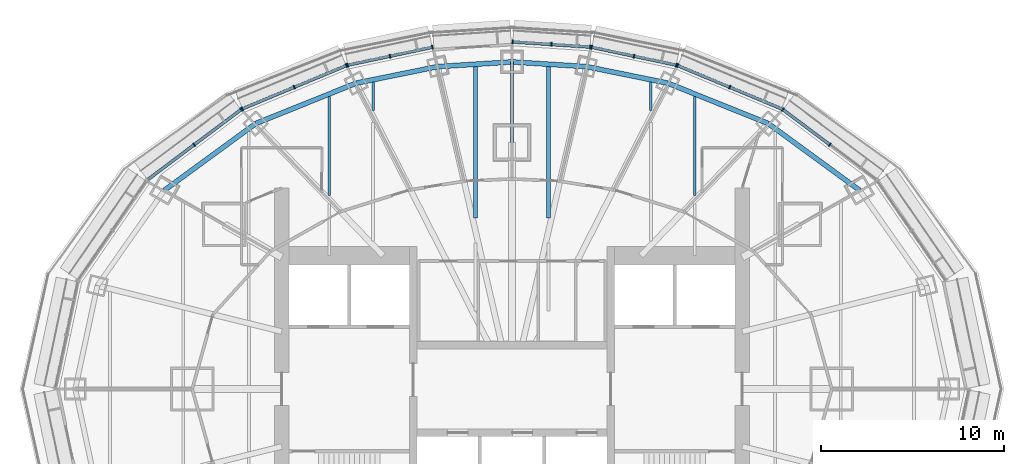
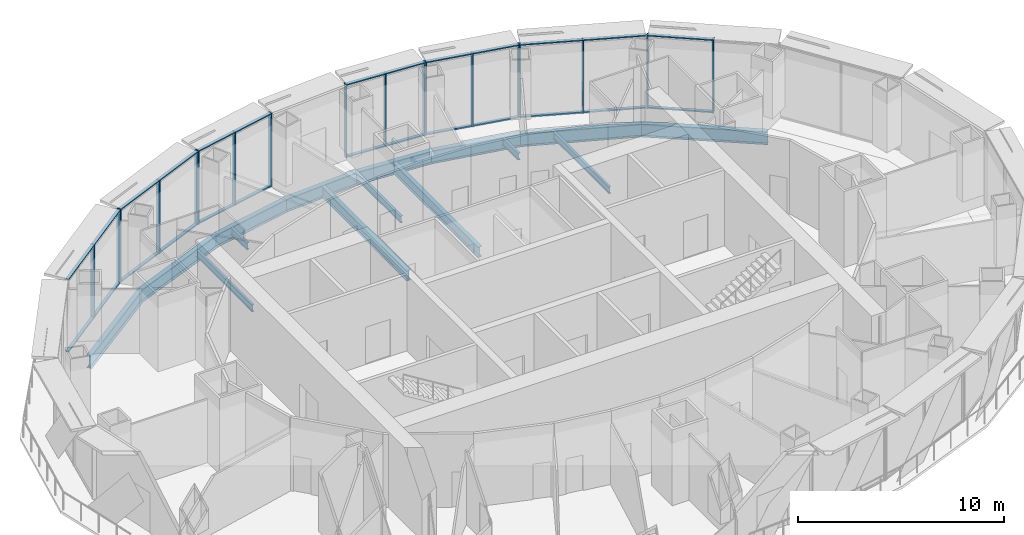
# One storey, part 6 of 17: 44 members, 15 beams, 7 elements without a shape of their own.
"""IFC4 building model written with IfcOpenShell, lengths in metres."""

from ifc_helpers import new_model, si_unit, direction, frame, origin, origin_2d, place, context, subcontext, project, spatial, rectangle, i_section, extrude, material, material_profile, profile_set, type_object, element, aggregate, save


model = new_model("IFC4")

# Units and contexts
model_context = context("Model", 3, precision=1e-05, world=origin(), true_north=direction((0.0, 1.0)))
body_context = subcontext(model_context, "Body", "Model", "MODEL_VIEW")
ifc_project = project(units=[si_unit("LENGTHUNIT", "METRE"), si_unit("AREAUNIT", "SQUARE_METRE"), si_unit("VOLUMEUNIT", "CUBIC_METRE"), si_unit("PLANEANGLEUNIT", "RADIAN"), si_unit("MASSUNIT", "GRAM", prefix="KILO")], contexts=[model_context])

# Site, building, storey
site_placement = place(None, origin())
site = spatial("IfcSite", under=ifc_project, at=site_placement, CompositionType="ELEMENT")
building_placement = place(site_placement, origin())
building = spatial("IfcBuilding", under=site, at=building_placement, Name="Lantaw Convention Tower", CompositionType="ELEMENT")
storey_placement = place(building_placement, frame((0.0, 0.0, 270.39990234375)))
storey = spatial("IfcBuildingStorey", under=building, at=storey_placement, Name="L63", CompositionType="ELEMENT", Elevation=270.39990234375)

# Beams
ifc_material_1 = material(Name="Steel ASTM A992", Category="steel")
ifc_material_profile_1 = material_profile(ifc_material_1, i_section(OverallWidth=0.2666015625, OverallDepth=0.76953125, WebThickness=0.015625, FlangeThickness=0.025390625, FilletRadius=0.0126953125, at=origin_2d()), Name="W30X132")
ifc_profile_set_1 = profile_set([ifc_material_profile_1], Name="Steel ASTM A992")
beam_type_1 = type_object("IfcBeamType", Name="Beam E W30X132", PredefinedType="SPANDREL", material=ifc_profile_set_1)
beam_1_placement = place(storey_placement, frame((19.02685546875, 10.87255859375, -0.53466796875), z_axis=(-0.807371616826, 0.59004328006, 0.0), x_axis=(-0.59004328006, -0.807371616826, 0.0)))
element("IfcBeam", 1, at=beam_1_placement, inside=storey, type_object=beam_type_1, Name="Edge beam 3", PredefinedType="SPANDREL", context=body_context, shape_type="SweptSolid", body=[
    extrude(i_section(OverallWidth=0.2666015625, OverallDepth=0.76953125, WebThickness=0.015625, FlangeThickness=0.025390625, FilletRadius=0.0126953125, at=origin_2d()), origin(), (0.0, 0.0, 1.0), 6.192138671875),
])
beam_2_placement = place(storey_placement, frame((14.027587890625, 14.526123046875, -0.53466796875), z_axis=(-0.927779110974, 0.373129898615, 0.0), x_axis=(-0.373129898615, -0.927779110974, 0.0)))
element("IfcBeam", 2, at=beam_2_placement, inside=storey, type_object=beam_type_1, Name="Edge beam 4", PredefinedType="SPANDREL", context=body_context, shape_type="SweptSolid", body=[
    extrude(i_section(OverallWidth=0.2666015625, OverallDepth=0.76953125, WebThickness=0.015625, FlangeThickness=0.025390625, FilletRadius=0.0126953125, at=origin_2d()), origin(), (0.0, 0.0, 1.0), 5.92724609375),
])
beam_3_placement = place(storey_placement, frame((8.5283203125, 16.73779296875, -0.53466796875), z_axis=(-0.980006466425, 0.198965639657, 0.0), x_axis=(-0.198965639657, -0.980006466425, 0.0)))
element("IfcBeam", 3, at=beam_3_placement, inside=storey, type_object=beam_type_1, Name="Edge beam 5", PredefinedType="SPANDREL", context=body_context, shape_type="SweptSolid", body=[
    extrude(i_section(OverallWidth=0.2666015625, OverallDepth=0.76953125, WebThickness=0.015625, FlangeThickness=0.025390625, FilletRadius=0.0126953125, at=origin_2d()), origin(), (0.0, 0.0, 1.0), 4.546142578125),
])
for number, where, z_axis, x_axis, name in (
    (4, (4.072998046875, 17.642333984375, -0.53466796875), (-0.998006453216, 0.063111958769, 0.0), (-0.063111958769, -0.998006453216, 0.0), "Edge beam 6"),
    (5, (0.0, 17.89990234375, -0.53466796875), (-0.998006453216, -0.063111958769, 0.0), (0.063111958769, -0.998006453216, 0.0), "Edge beam 7"),
):
    element("IfcBeam", number, at=place(storey_placement, frame(where, z_axis=z_axis, x_axis=x_axis)), inside=storey, type_object=beam_type_1, Name=name, PredefinedType="SPANDREL", context=body_context, shape_type="SweptSolid", body=[
        extrude(i_section(OverallWidth=0.2666015625, OverallDepth=0.76953125, WebThickness=0.015625, FlangeThickness=0.025390625, FilletRadius=0.0126953125, at=origin_2d()), origin(), (0.0, 0.0, 1.0), 4.0810546875),
    ])
beam_4_placement = place(storey_placement, frame((-4.072998046875, 17.642333984375, -0.53466796875), z_axis=(-0.980006466425, -0.198965639657, 0.0), x_axis=(0.198965639657, -0.980006466425, 0.0)))
element("IfcBeam", 6, at=beam_4_placement, inside=storey, type_object=beam_type_1, Name="Edge beam 8", PredefinedType="SPANDREL", context=body_context, shape_type="SweptSolid", body=[
    extrude(i_section(OverallWidth=0.2666015625, OverallDepth=0.76953125, WebThickness=0.015625, FlangeThickness=0.025390625, FilletRadius=0.0126953125, at=origin_2d()), origin(), (0.0, 0.0, 1.0), 4.546142578125),
])
beam_5_placement = place(storey_placement, frame((-8.5283203125, 16.73779296875, -0.53466796875), z_axis=(-0.927779110974, -0.373129898615, 0.0), x_axis=(0.373129898615, -0.927779110974, 0.0)))
element("IfcBeam", 7, at=beam_5_placement, inside=storey, type_object=beam_type_1, Name="Edge beam 9", PredefinedType="SPANDREL", context=body_context, shape_type="SweptSolid", body=[
    extrude(i_section(OverallWidth=0.2666015625, OverallDepth=0.76953125, WebThickness=0.015625, FlangeThickness=0.025390625, FilletRadius=0.0126953125, at=origin_2d()), origin(), (0.0, 0.0, 1.0), 5.92724609375),
])
beam_6_placement = place(storey_placement, frame((-14.027587890625, 14.526123046875, -0.53466796875), z_axis=(-0.807371616826, -0.59004328006, 0.0), x_axis=(0.59004328006, -0.807371616826, 0.0)))
element("IfcBeam", 8, at=beam_6_placement, inside=storey, type_object=beam_type_1, Name="Edge beam 10", PredefinedType="SPANDREL", context=body_context, shape_type="SweptSolid", body=[
    extrude(i_section(OverallWidth=0.2666015625, OverallDepth=0.76953125, WebThickness=0.015625, FlangeThickness=0.025390625, FilletRadius=0.0126953125, at=origin_2d()), origin(), (0.0, 0.0, 1.0), 6.192138671875),
])
ifc_material_profile_2 = material_profile(ifc_material_1, i_section(OverallWidth=0.140380859375, OverallDepth=0.40380859375, WebThickness=0.007080078125, FlangeThickness=0.01123046875, FilletRadius=0.01025390625, at=origin_2d()), Name="W16X31")
ifc_profile_set_2 = profile_set([ifc_material_profile_2], Name="Steel ASTM A992")
beam_type_2 = type_object("IfcBeamType", Name="Beam G W16X31", PredefinedType="BEAM", material=ifc_profile_set_2)
beam_7_placement = place(storey_placement, frame((0.0, 13.5, -0.351806640625), z_axis=(0.0, 1.0, 0.0), x_axis=(-1.0, 0.0, 0.0)))
element("IfcBeam", 9, at=beam_7_placement, inside=storey, type_object=beam_type_2, Name="Floor girder on ray 7", PredefinedType="BEAM", context=body_context, shape_type="SweptSolid", body=[
    extrude(i_section(OverallWidth=0.140380859375, OverallDepth=0.40380859375, WebThickness=0.007080078125, FlangeThickness=0.01123046875, FilletRadius=0.01025390625, at=origin_2d()), origin(), (0.0, 0.0, 1.0), 4.39990234375),
])
ifc_material_profile_3 = material_profile(ifc_material_1, i_section(OverallWidth=0.140380859375, OverallDepth=0.40380859375, WebThickness=0.007080078125, FlangeThickness=0.01123046875, FilletRadius=0.01025390625, at=origin_2d()), Name="W16X31")
ifc_profile_set_3 = profile_set([ifc_material_profile_3], Name="Steel ASTM A992")
beam_type_3 = type_object("IfcBeamType", Name="Beam J W16X31", PredefinedType="JOIST", material=ifc_profile_set_3)
beam_8_placement = place(storey_placement, frame((-10.0, 10.58935546875, -0.351806640625), z_axis=(0.0, 1.0, 0.0), x_axis=(-1.0, 0.0, 0.0)))
element("IfcBeam", 10, at=beam_8_placement, inside=storey, type_object=beam_type_3, Name="Floor joist", PredefinedType="JOIST", context=body_context, shape_type="SweptSolid", body=[
    extrude(i_section(OverallWidth=0.140380859375, OverallDepth=0.40380859375, WebThickness=0.007080078125, FlangeThickness=0.01123046875, FilletRadius=0.01025390625, at=origin_2d()), origin(), (0.0, 0.0, 1.0), 5.412841796875),
])
for number, where, z_axis, x_axis, name in (
    (11, (-7.60009765625, 15.25439453125, -0.351806640625), (0.0, 1.0, 0.0), (-1.0, 0.0, 0.0), "Floor joist"),
    (12, (7.60009765625, 15.25439453125, -0.351806640625), (0.0, 1.0, 0.0), (-1.0, 0.0, 0.0), "Floor joist"),
):
    element("IfcBeam", number, at=place(storey_placement, frame(where, z_axis=z_axis, x_axis=x_axis)), inside=storey, type_object=beam_type_3, Name=name, PredefinedType="JOIST", context=body_context, shape_type="SweptSolid", body=[
        extrude(i_section(OverallWidth=0.140380859375, OverallDepth=0.40380859375, WebThickness=0.007080078125, FlangeThickness=0.01123046875, FilletRadius=0.01025390625, at=origin_2d()), origin(), (0.0, 0.0, 1.0), 1.535888671875),
    ])
beam_9_placement = place(storey_placement, frame((10.0, 10.58935546875, -0.351806640625), z_axis=(0.0, 1.0, 0.0), x_axis=(-1.0, 0.0, 0.0)))
element("IfcBeam", 13, at=beam_9_placement, inside=storey, type_object=beam_type_3, Name="Floor joist", PredefinedType="JOIST", context=body_context, shape_type="SweptSolid", body=[
    extrude(i_section(OverallWidth=0.140380859375, OverallDepth=0.40380859375, WebThickness=0.007080078125, FlangeThickness=0.01123046875, FilletRadius=0.01025390625, at=origin_2d()), origin(), (0.0, 0.0, 1.0), 5.412841796875),
])
ifc_material_profile_4 = material_profile(ifc_material_1, i_section(OverallWidth=0.22900390625, OverallDepth=0.612060546875, WebThickness=0.011962890625, FlangeThickness=0.01953125, FilletRadius=0.0126953125, at=origin_2d()), Name="W24X84")
ifc_profile_set_4 = profile_set([ifc_material_profile_4], Name="Steel ASTM A992")
beam_type_4 = type_object("IfcBeamType", Name="Beam J W24X84", PredefinedType="JOIST", material=ifc_profile_set_4)
for number, where, z_axis, x_axis, name in (
    (14, (-2.0, 9.34619140625, -0.4560546875), (0.0, 1.0, 0.0), (-1.0, 0.0, 0.0), "Floor joist"),
    (15, (2.0, 9.34619140625, -0.4560546875), (0.0, 1.0, 0.0), (-1.0, 0.0, 0.0), "Floor joist"),
):
    element("IfcBeam", number, at=place(storey_placement, frame(where, z_axis=z_axis, x_axis=x_axis)), inside=storey, type_object=beam_type_4, Name=name, PredefinedType="JOIST", context=body_context, shape_type="SweptSolid", body=[
        extrude(i_section(OverallWidth=0.22900390625, OverallDepth=0.612060546875, WebThickness=0.011962890625, FlangeThickness=0.01953125, FilletRadius=0.0126953125, at=origin_2d()), origin(), (0.0, 0.0, 1.0), 8.293701171875),
    ])

# Curtain wall, members
ifc_material_2 = material(Name="Aluminium framed curtain wall", Category="aluminium")
curtain_wall_type = type_object("IfcCurtainWallType", Name="Executive floors curtain wall, pale aluminium", PredefinedType="USERDEFINED", material=ifc_material_2)
curtain_wall_1_placement = place(storey_placement, origin())
curtain_wall_1 = element("IfcCurtainWall", 16, at=curtain_wall_1_placement, inside=storey, type_object=curtain_wall_type, Name="Executive floors curtain wall, pale aluminium L63", ObjectType="UNITISED CURTAIN WALL", PredefinedType="USERDEFINED")
ifc_material_3 = material(Name="Aluminium 6063-T6", Category="aluminium")
ifc_material_profile_5 = material_profile(ifc_material_3, rectangle(XDim=0.219970703125, YDim=0.070068359375, at=origin_2d()), Name="CW-T mullion 70x220")
ifc_profile_set_5 = profile_set([ifc_material_profile_5], Name="Aluminium 6063-T6")
member_type_1 = type_object("IfcMemberType", Name="CW-T mullion 70x220", PredefinedType="MULLION", material=ifc_profile_set_5)
member_1_placement = place(storey_placement, frame((17.386962890625, 13.367919921875, 0.0), z_axis=(0.0, 0.0, 1.0), x_axis=(-0.600642756762, -0.799517528732, 0.0)))
member_1 = element("IfcMember", 17, at=member_1_placement, type_object=member_type_1, Name="CW-T mullion 2", PredefinedType="MULLION", context=body_context, shape_type="SweptSolid", body=[
    extrude(rectangle(XDim=0.219970703125, YDim=0.070068359375, at=origin_2d()), origin(), (0.0, 0.0, 1.0), 4.35009765625),
])
member_2_placement = place(storey_placement, frame((14.81982421875, 15.29638671875, 0.0), z_axis=(0.0, 0.0, 1.0), x_axis=(-0.600642756762, -0.799517528732, 0.0)))
member_2 = element("IfcMember", 18, at=member_2_placement, type_object=member_type_1, Name="CW-T mullion 3", PredefinedType="MULLION", context=body_context, shape_type="SweptSolid", body=[
    extrude(rectangle(XDim=0.219970703125, YDim=0.070068359375, at=origin_2d()), origin(), (0.0, 0.0, 1.0), 4.35009765625),
])

curtain_wall_2_placement = place(storey_placement, origin())
curtain_wall_2 = element("IfcCurtainWall", 19, at=curtain_wall_2_placement, inside=storey, type_object=curtain_wall_type, Name="Executive floors curtain wall, pale aluminium L63", ObjectType="UNITISED CURTAIN WALL", PredefinedType="USERDEFINED")
member_3_placement = place(storey_placement, frame((11.90966796875, 16.517578125, 0.0), z_axis=(0.0, 0.0, 1.0), x_axis=(-0.384459697924, -0.923141777124, 0.0)))
member_3 = element("IfcMember", 20, at=member_3_placement, type_object=member_type_1, Name="CW-T mullion 2", PredefinedType="MULLION", context=body_context, shape_type="SweptSolid", body=[
    extrude(rectangle(XDim=0.219970703125, YDim=0.070068359375, at=origin_2d()), origin(), (0.0, 0.0, 1.0), 4.35009765625),
])
member_4_placement = place(storey_placement, frame((9.06005859375, 17.70458984375, 0.0), z_axis=(0.0, 0.0, 1.0), x_axis=(-0.384459697924, -0.923141777124, 0.0)))
member_4 = element("IfcMember", 21, at=member_4_placement, type_object=member_type_1, Name="CW-T mullion 3", PredefinedType="MULLION", context=body_context, shape_type="SweptSolid", body=[
    extrude(rectangle(XDim=0.219970703125, YDim=0.070068359375, at=origin_2d()), origin(), (0.0, 0.0, 1.0), 4.35009765625),
])

curtain_wall_3_placement = place(storey_placement, origin())
curtain_wall_3 = element("IfcCurtainWall", 22, at=curtain_wall_3_placement, inside=storey, type_object=curtain_wall_type, Name="Executive floors curtain wall, pale aluminium L63", ObjectType="UNITISED CURTAIN WALL", PredefinedType="USERDEFINED")
member_5_placement = place(storey_placement, frame((8.993408203125, 17.72509765625, 0.0), z_axis=(0.0, 0.0, 1.0), x_axis=(-0.207039911975, -0.978332497083, 0.0)))
member_5 = element("IfcMember", 23, at=member_5_placement, type_object=member_type_1, Name="CW-T mullion 1", PredefinedType="MULLION", context=body_context, shape_type="SweptSolid", body=[
    extrude(rectangle(XDim=0.219970703125, YDim=0.070068359375, at=origin_2d()), origin(), (0.0, 0.0, 1.0), 4.35009765625),
])
member_6_placement = place(storey_placement, frame((6.674072265625, 18.216064453125, 0.0), z_axis=(0.0, 0.0, 1.0), x_axis=(-0.207039911975, -0.978332497083, 0.0)))
member_6 = element("IfcMember", 24, at=member_6_placement, type_object=member_type_1, Name="CW-T mullion 2", PredefinedType="MULLION", context=body_context, shape_type="SweptSolid", body=[
    extrude(rectangle(XDim=0.219970703125, YDim=0.070068359375, at=origin_2d()), origin(), (0.0, 0.0, 1.0), 4.35009765625),
])
member_7_placement = place(storey_placement, frame((4.354736328125, 18.706787109375, 0.0), z_axis=(0.0, 0.0, 1.0), x_axis=(-0.207039911975, -0.978332497083, 0.0)))
member_7 = element("IfcMember", 25, at=member_7_placement, type_object=member_type_1, Name="CW-T mullion 3", PredefinedType="MULLION", context=body_context, shape_type="SweptSolid", body=[
    extrude(rectangle(XDim=0.219970703125, YDim=0.070068359375, at=origin_2d()), origin(), (0.0, 0.0, 1.0), 4.35009765625),
])

curtain_wall_4_placement = place(storey_placement, origin())
curtain_wall_4 = element("IfcCurtainWall", 26, at=curtain_wall_4_placement, inside=storey, type_object=curtain_wall_type, Name="Executive floors curtain wall, pale aluminium L63", ObjectType="UNITISED CURTAIN WALL", PredefinedType="USERDEFINED")
member_8_placement = place(storey_placement, frame((4.28564453125, 18.71630859375, 0.0), z_axis=(0.0, 0.0, 1.0), x_axis=(-0.066024902273, -0.997817975525, 0.0)))
member_8 = element("IfcMember", 27, at=member_8_placement, type_object=member_type_1, Name="CW-T mullion 1", PredefinedType="MULLION", context=body_context, shape_type="SweptSolid", body=[
    extrude(rectangle(XDim=0.219970703125, YDim=0.070068359375, at=origin_2d()), origin(), (0.0, 0.0, 1.0), 4.35009765625),
])
member_9_placement = place(storey_placement, frame((2.16015625, 18.857177734375, 0.0), z_axis=(0.0, 0.0, 1.0), x_axis=(-0.066024902273, -0.997817975525, 0.0)))
member_9 = element("IfcMember", 28, at=member_9_placement, type_object=member_type_1, Name="CW-T mullion 2", PredefinedType="MULLION", context=body_context, shape_type="SweptSolid", body=[
    extrude(rectangle(XDim=0.219970703125, YDim=0.070068359375, at=origin_2d()), origin(), (0.0, 0.0, 1.0), 4.35009765625),
])
member_10_placement = place(storey_placement, frame((0.034912109375, 18.997802734375, 0.0), z_axis=(0.0, 0.0, 1.0), x_axis=(-0.066024902273, -0.997817975525, 0.0)))
member_10 = element("IfcMember", 29, at=member_10_placement, type_object=member_type_1, Name="CW-T mullion 3", PredefinedType="MULLION", context=body_context, shape_type="SweptSolid", body=[
    extrude(rectangle(XDim=0.219970703125, YDim=0.070068359375, at=origin_2d()), origin(), (0.0, 0.0, 1.0), 4.35009765625),
])

curtain_wall_5_placement = place(storey_placement, origin())
curtain_wall_5 = element("IfcCurtainWall", 30, at=curtain_wall_5_placement, inside=storey, type_object=curtain_wall_type, Name="Executive floors curtain wall, pale aluminium L63", ObjectType="UNITISED CURTAIN WALL", PredefinedType="USERDEFINED")
member_11_placement = place(storey_placement, frame((-4.354736328125, 18.706787109375, 0.0), z_axis=(0.0, 0.0, 1.0), x_axis=(0.207039911975, -0.978332497083, 0.0)))
member_11 = element("IfcMember", 31, at=member_11_placement, type_object=member_type_1, Name="CW-T mullion 1", PredefinedType="MULLION", context=body_context, shape_type="SweptSolid", body=[
    extrude(rectangle(XDim=0.219970703125, YDim=0.070068359375, at=origin_2d()), origin(), (0.0, 0.0, 1.0), 4.35009765625),
])
member_12_placement = place(storey_placement, frame((-6.674072265625, 18.216064453125, 0.0), z_axis=(0.0, 0.0, 1.0), x_axis=(0.207039911975, -0.978332497083, 0.0)))
member_12 = element("IfcMember", 32, at=member_12_placement, type_object=member_type_1, Name="CW-T mullion 2", PredefinedType="MULLION", context=body_context, shape_type="SweptSolid", body=[
    extrude(rectangle(XDim=0.219970703125, YDim=0.070068359375, at=origin_2d()), origin(), (0.0, 0.0, 1.0), 4.35009765625),
])
member_13_placement = place(storey_placement, frame((-8.993408203125, 17.72509765625, 0.0), z_axis=(0.0, 0.0, 1.0), x_axis=(0.207039911975, -0.978332497083, 0.0)))
member_13 = element("IfcMember", 33, at=member_13_placement, type_object=member_type_1, Name="CW-T mullion 3", PredefinedType="MULLION", context=body_context, shape_type="SweptSolid", body=[
    extrude(rectangle(XDim=0.219970703125, YDim=0.070068359375, at=origin_2d()), origin(), (0.0, 0.0, 1.0), 4.35009765625),
])

curtain_wall_6_placement = place(storey_placement, origin())
curtain_wall_6 = element("IfcCurtainWall", 34, at=curtain_wall_6_placement, inside=storey, type_object=curtain_wall_type, Name="Executive floors curtain wall, pale aluminium L63", ObjectType="UNITISED CURTAIN WALL", PredefinedType="USERDEFINED")
member_14_placement = place(storey_placement, frame((-9.06005859375, 17.70458984375, 0.0), z_axis=(0.0, 0.0, 1.0), x_axis=(0.384459697924, -0.923141777124, 0.0)))
member_14 = element("IfcMember", 35, at=member_14_placement, type_object=member_type_1, Name="CW-T mullion 1", PredefinedType="MULLION", context=body_context, shape_type="SweptSolid", body=[
    extrude(rectangle(XDim=0.219970703125, YDim=0.070068359375, at=origin_2d()), origin(), (0.0, 0.0, 1.0), 4.35009765625),
])
member_15_placement = place(storey_placement, frame((-11.90966796875, 16.517578125, 0.0), z_axis=(0.0, 0.0, 1.0), x_axis=(0.384459697924, -0.923141777124, 0.0)))
member_15 = element("IfcMember", 36, at=member_15_placement, type_object=member_type_1, Name="CW-T mullion 2", PredefinedType="MULLION", context=body_context, shape_type="SweptSolid", body=[
    extrude(rectangle(XDim=0.219970703125, YDim=0.070068359375, at=origin_2d()), origin(), (0.0, 0.0, 1.0), 4.35009765625),
])
member_16_placement = place(storey_placement, frame((-14.759521484375, 15.330810546875, 0.0), z_axis=(0.0, 0.0, 1.0), x_axis=(0.384459697924, -0.923141777124, 0.0)))
member_16 = element("IfcMember", 37, at=member_16_placement, type_object=member_type_1, Name="CW-T mullion 3", PredefinedType="MULLION", context=body_context, shape_type="SweptSolid", body=[
    extrude(rectangle(XDim=0.219970703125, YDim=0.070068359375, at=origin_2d()), origin(), (0.0, 0.0, 1.0), 4.35009765625),
])

curtain_wall_7_placement = place(storey_placement, origin())
curtain_wall_7 = element("IfcCurtainWall", 38, at=curtain_wall_7_placement, inside=storey, type_object=curtain_wall_type, Name="Executive floors curtain wall, pale aluminium L63", ObjectType="UNITISED CURTAIN WALL", PredefinedType="USERDEFINED")
member_17_placement = place(storey_placement, frame((-14.81982421875, 15.29638671875, 0.0), z_axis=(0.0, 0.0, 1.0), x_axis=(0.600642756762, -0.799517528732, 0.0)))
member_17 = element("IfcMember", 39, at=member_17_placement, type_object=member_type_1, Name="CW-T mullion 1", PredefinedType="MULLION", context=body_context, shape_type="SweptSolid", body=[
    extrude(rectangle(XDim=0.219970703125, YDim=0.070068359375, at=origin_2d()), origin(), (0.0, 0.0, 1.0), 4.35009765625),
])
member_18_placement = place(storey_placement, frame((-17.386962890625, 13.367919921875, 0.0), z_axis=(0.0, 0.0, 1.0), x_axis=(0.600642756762, -0.799517528732, 0.0)))
member_18 = element("IfcMember", 40, at=member_18_placement, type_object=member_type_1, Name="CW-T mullion 2", PredefinedType="MULLION", context=body_context, shape_type="SweptSolid", body=[
    extrude(rectangle(XDim=0.219970703125, YDim=0.070068359375, at=origin_2d()), origin(), (0.0, 0.0, 1.0), 4.35009765625),
])

# Member
ifc_material_profile_6 = material_profile(ifc_material_3, rectangle(XDim=0.169921875, YDim=0.070068359375, at=origin_2d()), Name="CW-T transom 70x170")
ifc_profile_set_6 = profile_set([ifc_material_profile_6], Name="Aluminium 6063-T6")
member_type_2 = type_object("IfcMemberType", Name="CW-T transom 70x170", PredefinedType="USERDEFINED", material=ifc_profile_set_6)
member_19_placement = place(storey_placement, frame((17.35888671875, 13.388916015625, 0.03515625), z_axis=(-0.799505333284, 0.600658989819, 0.0), x_axis=(-0.600658989819, -0.799505333284, 0.0)))
member_19 = element("IfcMember", 41, at=member_19_placement, type_object=member_type_2, Name="CW-T transom 2.1", ObjectType="TRANSOM", PredefinedType="USERDEFINED", context=body_context, shape_type="SweptSolid", body=[
    extrude(rectangle(XDim=0.169921875, YDim=0.070068359375, at=origin_2d()), origin(), (0.0, 0.0, 1.0), 3.140625),
])

member_20_placement = place(storey_placement, frame((17.35888671875, 13.388916015625, 4.315185546875), z_axis=(-0.799505333284, 0.600658989819, 0.0), x_axis=(-0.600658989819, -0.799505333284, 0.0)))
member_20 = element("IfcMember", 42, at=member_20_placement, type_object=member_type_2, Name="CW-T transom 2.2", ObjectType="TRANSOM", PredefinedType="USERDEFINED", context=body_context, shape_type="SweptSolid", body=[
    extrude(rectangle(XDim=0.169921875, YDim=0.070068359375, at=origin_2d()), origin(), (0.0, 0.0, 1.0), 3.140625),
])

aggregate(curtain_wall_1, [member_1, member_2, member_19, member_20])

member_21_placement = place(storey_placement, frame((14.727294921875, 15.34423828125, 0.03515625), z_axis=(-0.923143943999, 0.384454494911, 0.0), x_axis=(-0.384454494911, -0.923143943999, 0.0)))
member_21 = element("IfcMember", 43, at=member_21_placement, type_object=member_type_2, Name="CW-T transom 1.1", ObjectType="TRANSOM", PredefinedType="USERDEFINED", context=body_context, shape_type="SweptSolid", body=[
    extrude(rectangle(XDim=0.169921875, YDim=0.070068359375, at=origin_2d()), origin(), (0.0, 0.0, 1.0), 3.01708984375),
])

member_22_placement = place(storey_placement, frame((14.727294921875, 15.34423828125, 4.315185546875), z_axis=(-0.923143943999, 0.384454494911, 0.0), x_axis=(-0.384454494911, -0.923143943999, 0.0)))
member_22 = element("IfcMember", 44, at=member_22_placement, type_object=member_type_2, Name="CW-T transom 1.2", ObjectType="TRANSOM", PredefinedType="USERDEFINED", context=body_context, shape_type="SweptSolid", body=[
    extrude(rectangle(XDim=0.169921875, YDim=0.070068359375, at=origin_2d()), origin(), (0.0, 0.0, 1.0), 3.01708984375),
])

member_23_placement = place(storey_placement, frame((11.87744140625, 16.531005859375, 0.03515625), z_axis=(-0.923143943999, 0.384454494911, 0.0), x_axis=(-0.384454494911, -0.923143943999, 0.0)))
member_23 = element("IfcMember", 45, at=member_23_placement, type_object=member_type_2, Name="CW-T transom 2.1", ObjectType="TRANSOM", PredefinedType="USERDEFINED", context=body_context, shape_type="SweptSolid", body=[
    extrude(rectangle(XDim=0.169921875, YDim=0.070068359375, at=origin_2d()), origin(), (0.0, 0.0, 1.0), 3.01708984375),
])

member_24_placement = place(storey_placement, frame((11.87744140625, 16.531005859375, 4.315185546875), z_axis=(-0.923143943999, 0.384454494911, 0.0), x_axis=(-0.384454494911, -0.923143943999, 0.0)))
member_24 = element("IfcMember", 46, at=member_24_placement, type_object=member_type_2, Name="CW-T transom 2.2", ObjectType="TRANSOM", PredefinedType="USERDEFINED", context=body_context, shape_type="SweptSolid", body=[
    extrude(rectangle(XDim=0.169921875, YDim=0.070068359375, at=origin_2d()), origin(), (0.0, 0.0, 1.0), 3.01708984375),
])

aggregate(curtain_wall_2, [member_3, member_4, member_21, member_22, member_23, member_24])

member_25_placement = place(storey_placement, frame((8.959228515625, 17.732421875, 0.03515625), z_axis=(-0.978336479598, 0.207021092375, 0.0), x_axis=(-0.207021092375, -0.978336479598, 0.0)))
member_25 = element("IfcMember", 47, at=member_25_placement, type_object=member_type_2, Name="CW-T transom 1.1", ObjectType="TRANSOM", PredefinedType="USERDEFINED", context=body_context, shape_type="SweptSolid", body=[
    extrude(rectangle(XDim=0.169921875, YDim=0.070068359375, at=origin_2d()), origin(), (0.0, 0.0, 1.0), 2.30078125),
])

member_26_placement = place(storey_placement, frame((8.959228515625, 17.732421875, 4.315185546875), z_axis=(-0.978336479598, 0.207021092375, 0.0), x_axis=(-0.207021092375, -0.978336479598, 0.0)))
member_26 = element("IfcMember", 48, at=member_26_placement, type_object=member_type_2, Name="CW-T transom 1.2", ObjectType="TRANSOM", PredefinedType="USERDEFINED", context=body_context, shape_type="SweptSolid", body=[
    extrude(rectangle(XDim=0.169921875, YDim=0.070068359375, at=origin_2d()), origin(), (0.0, 0.0, 1.0), 2.30078125),
])

member_27_placement = place(storey_placement, frame((6.639892578125, 18.223388671875, 0.03515625), z_axis=(-0.978336479598, 0.207021092375, 0.0), x_axis=(-0.207021092375, -0.978336479598, 0.0)))
member_27 = element("IfcMember", 49, at=member_27_placement, type_object=member_type_2, Name="CW-T transom 2.1", ObjectType="TRANSOM", PredefinedType="USERDEFINED", context=body_context, shape_type="SweptSolid", body=[
    extrude(rectangle(XDim=0.169921875, YDim=0.070068359375, at=origin_2d()), origin(), (0.0, 0.0, 1.0), 2.30078125),
])

member_28_placement = place(storey_placement, frame((6.639892578125, 18.223388671875, 4.315185546875), z_axis=(-0.978336479598, 0.207021092375, 0.0), x_axis=(-0.207021092375, -0.978336479598, 0.0)))
member_28 = element("IfcMember", 50, at=member_28_placement, type_object=member_type_2, Name="CW-T transom 2.2", ObjectType="TRANSOM", PredefinedType="USERDEFINED", context=body_context, shape_type="SweptSolid", body=[
    extrude(rectangle(XDim=0.169921875, YDim=0.070068359375, at=origin_2d()), origin(), (0.0, 0.0, 1.0), 2.30078125),
])

aggregate(curtain_wall_3, [member_5, member_6, member_7, member_25, member_26, member_27, member_28])

member_29_placement = place(storey_placement, frame((4.250732421875, 18.71875, 0.03515625), z_axis=(-0.997819110413, 0.066007748753, 0.0), x_axis=(-0.066007748753, -0.997819110413, 0.0)))
member_29 = element("IfcMember", 51, at=member_29_placement, type_object=member_type_2, Name="CW-T transom 1.1", ObjectType="TRANSOM", PredefinedType="USERDEFINED", context=body_context, shape_type="SweptSolid", body=[
    extrude(rectangle(XDim=0.169921875, YDim=0.070068359375, at=origin_2d()), origin(), (0.0, 0.0, 1.0), 2.06005859375),
])

member_30_placement = place(storey_placement, frame((4.250732421875, 18.71875, 4.315185546875), z_axis=(-0.997819110413, 0.066007748753, 0.0), x_axis=(-0.066007748753, -0.997819110413, 0.0)))
member_30 = element("IfcMember", 52, at=member_30_placement, type_object=member_type_2, Name="CW-T transom 1.2", ObjectType="TRANSOM", PredefinedType="USERDEFINED", context=body_context, shape_type="SweptSolid", body=[
    extrude(rectangle(XDim=0.169921875, YDim=0.070068359375, at=origin_2d()), origin(), (0.0, 0.0, 1.0), 2.06005859375),
])

member_31_placement = place(storey_placement, frame((2.125244140625, 18.859375, 0.03515625), z_axis=(-0.997818593988, 0.066015554918, 0.0), x_axis=(-0.066015554918, -0.997818593988, 0.0)))
member_31 = element("IfcMember", 53, at=member_31_placement, type_object=member_type_2, Name="CW-T transom 2.1", ObjectType="TRANSOM", PredefinedType="USERDEFINED", context=body_context, shape_type="SweptSolid", body=[
    extrude(rectangle(XDim=0.169921875, YDim=0.070068359375, at=origin_2d()), origin(), (0.0, 0.0, 1.0), 2.059814453125),
])

member_32_placement = place(storey_placement, frame((2.125244140625, 18.859375, 4.315185546875), z_axis=(-0.997818593988, 0.066015554918, 0.0), x_axis=(-0.066015554918, -0.997818593988, 0.0)))
member_32 = element("IfcMember", 54, at=member_32_placement, type_object=member_type_2, Name="CW-T transom 2.2", ObjectType="TRANSOM", PredefinedType="USERDEFINED", context=body_context, shape_type="SweptSolid", body=[
    extrude(rectangle(XDim=0.169921875, YDim=0.070068359375, at=origin_2d()), origin(), (0.0, 0.0, 1.0), 2.059814453125),
])

aggregate(curtain_wall_4, [member_8, member_9, member_10, member_29, member_30, member_31, member_32])

member_33_placement = place(storey_placement, frame((-4.388916015625, 18.69970703125, 0.03515625), z_axis=(-0.978336479598, -0.207021092375, 0.0), x_axis=(0.207021092375, -0.978336479598, 0.0)))
member_33 = element("IfcMember", 55, at=member_33_placement, type_object=member_type_2, Name="CW-T transom 1.1", ObjectType="TRANSOM", PredefinedType="USERDEFINED", context=body_context, shape_type="SweptSolid", body=[
    extrude(rectangle(XDim=0.169921875, YDim=0.070068359375, at=origin_2d()), origin(), (0.0, 0.0, 1.0), 2.30078125),
])

member_34_placement = place(storey_placement, frame((-4.388916015625, 18.69970703125, 4.315185546875), z_axis=(-0.978336479598, -0.207021092375, 0.0), x_axis=(0.207021092375, -0.978336479598, 0.0)))
member_34 = element("IfcMember", 56, at=member_34_placement, type_object=member_type_2, Name="CW-T transom 1.2", ObjectType="TRANSOM", PredefinedType="USERDEFINED", context=body_context, shape_type="SweptSolid", body=[
    extrude(rectangle(XDim=0.169921875, YDim=0.070068359375, at=origin_2d()), origin(), (0.0, 0.0, 1.0), 2.30078125),
])

member_35_placement = place(storey_placement, frame((-6.708251953125, 18.208740234375, 0.03515625), z_axis=(-0.978336479598, -0.207021092375, 0.0), x_axis=(0.207021092375, -0.978336479598, 0.0)))
member_35 = element("IfcMember", 57, at=member_35_placement, type_object=member_type_2, Name="CW-T transom 2.1", ObjectType="TRANSOM", PredefinedType="USERDEFINED", context=body_context, shape_type="SweptSolid", body=[
    extrude(rectangle(XDim=0.169921875, YDim=0.070068359375, at=origin_2d()), origin(), (0.0, 0.0, 1.0), 2.30078125),
])

member_36_placement = place(storey_placement, frame((-6.708251953125, 18.208740234375, 4.315185546875), z_axis=(-0.978336479598, -0.207021092375, 0.0), x_axis=(0.207021092375, -0.978336479598, 0.0)))
member_36 = element("IfcMember", 58, at=member_36_placement, type_object=member_type_2, Name="CW-T transom 2.2", ObjectType="TRANSOM", PredefinedType="USERDEFINED", context=body_context, shape_type="SweptSolid", body=[
    extrude(rectangle(XDim=0.169921875, YDim=0.070068359375, at=origin_2d()), origin(), (0.0, 0.0, 1.0), 2.30078125),
])

aggregate(curtain_wall_5, [member_11, member_12, member_13, member_33, member_34, member_35, member_36])

member_37_placement = place(storey_placement, frame((-9.09228515625, 17.69091796875, 0.03515625), z_axis=(-0.923143943999, -0.384454494911, 0.0), x_axis=(0.384454494911, -0.923143943999, 0.0)))
member_37 = element("IfcMember", 59, at=member_37_placement, type_object=member_type_2, Name="CW-T transom 1.1", ObjectType="TRANSOM", PredefinedType="USERDEFINED", context=body_context, shape_type="SweptSolid", body=[
    extrude(rectangle(XDim=0.169921875, YDim=0.070068359375, at=origin_2d()), origin(), (0.0, 0.0, 1.0), 3.01708984375),
])

member_38_placement = place(storey_placement, frame((-9.09228515625, 17.69091796875, 4.315185546875), z_axis=(-0.923143943999, -0.384454494911, 0.0), x_axis=(0.384454494911, -0.923143943999, 0.0)))
member_38 = element("IfcMember", 60, at=member_38_placement, type_object=member_type_2, Name="CW-T transom 1.2", ObjectType="TRANSOM", PredefinedType="USERDEFINED", context=body_context, shape_type="SweptSolid", body=[
    extrude(rectangle(XDim=0.169921875, YDim=0.070068359375, at=origin_2d()), origin(), (0.0, 0.0, 1.0), 3.01708984375),
])

member_39_placement = place(storey_placement, frame((-11.942138671875, 16.504150390625, 0.03515625), z_axis=(-0.923143943999, -0.384454494911, 0.0), x_axis=(0.384454494911, -0.923143943999, 0.0)))
member_39 = element("IfcMember", 61, at=member_39_placement, type_object=member_type_2, Name="CW-T transom 2.1", ObjectType="TRANSOM", PredefinedType="USERDEFINED", context=body_context, shape_type="SweptSolid", body=[
    extrude(rectangle(XDim=0.169921875, YDim=0.070068359375, at=origin_2d()), origin(), (0.0, 0.0, 1.0), 3.01708984375),
])

member_40_placement = place(storey_placement, frame((-11.942138671875, 16.504150390625, 4.315185546875), z_axis=(-0.923143943999, -0.384454494911, 0.0), x_axis=(0.384454494911, -0.923143943999, 0.0)))
member_40 = element("IfcMember", 62, at=member_40_placement, type_object=member_type_2, Name="CW-T transom 2.2", ObjectType="TRANSOM", PredefinedType="USERDEFINED", context=body_context, shape_type="SweptSolid", body=[
    extrude(rectangle(XDim=0.169921875, YDim=0.070068359375, at=origin_2d()), origin(), (0.0, 0.0, 1.0), 3.01708984375),
])

aggregate(curtain_wall_6, [member_14, member_15, member_16, member_37, member_38, member_39, member_40])

member_41_placement = place(storey_placement, frame((-14.847900390625, 15.275390625, 0.03515625), z_axis=(-0.799505333284, -0.600658989819, 0.0), x_axis=(0.600658989819, -0.799505333284, 0.0)))
member_41 = element("IfcMember", 63, at=member_41_placement, type_object=member_type_2, Name="CW-T transom 1.1", ObjectType="TRANSOM", PredefinedType="USERDEFINED", context=body_context, shape_type="SweptSolid", body=[
    extrude(rectangle(XDim=0.169921875, YDim=0.070068359375, at=origin_2d()), origin(), (0.0, 0.0, 1.0), 3.140625),
])

member_42_placement = place(storey_placement, frame((-14.847900390625, 15.275390625, 4.315185546875), z_axis=(-0.799505333284, -0.600658989819, 0.0), x_axis=(0.600658989819, -0.799505333284, 0.0)))
member_42 = element("IfcMember", 64, at=member_42_placement, type_object=member_type_2, Name="CW-T transom 1.2", ObjectType="TRANSOM", PredefinedType="USERDEFINED", context=body_context, shape_type="SweptSolid", body=[
    extrude(rectangle(XDim=0.169921875, YDim=0.070068359375, at=origin_2d()), origin(), (0.0, 0.0, 1.0), 3.140625),
])

member_43_placement = place(storey_placement, frame((-17.414794921875, 13.346923828125, 0.03515625), z_axis=(-0.799496049611, -0.600671346626, 0.0), x_axis=(0.600671346626, -0.799496049611, 0.0)))
member_43 = element("IfcMember", 65, at=member_43_placement, type_object=member_type_2, Name="CW-T transom 2.1", ObjectType="TRANSOM", PredefinedType="USERDEFINED", context=body_context, shape_type="SweptSolid", body=[
    extrude(rectangle(XDim=0.169921875, YDim=0.070068359375, at=origin_2d()), origin(), (0.0, 0.0, 1.0), 3.14111328125),
])

member_44_placement = place(storey_placement, frame((-17.414794921875, 13.346923828125, 4.315185546875), z_axis=(-0.799496049611, -0.600671346626, 0.0), x_axis=(0.600671346626, -0.799496049611, 0.0)))
member_44 = element("IfcMember", 66, at=member_44_placement, type_object=member_type_2, Name="CW-T transom 2.2", ObjectType="TRANSOM", PredefinedType="USERDEFINED", context=body_context, shape_type="SweptSolid", body=[
    extrude(rectangle(XDim=0.169921875, YDim=0.070068359375, at=origin_2d()), origin(), (0.0, 0.0, 1.0), 3.14111328125),
])

aggregate(curtain_wall_7, [member_17, member_18, member_41, member_42, member_43, member_44])

save(model, "model.ifc")
